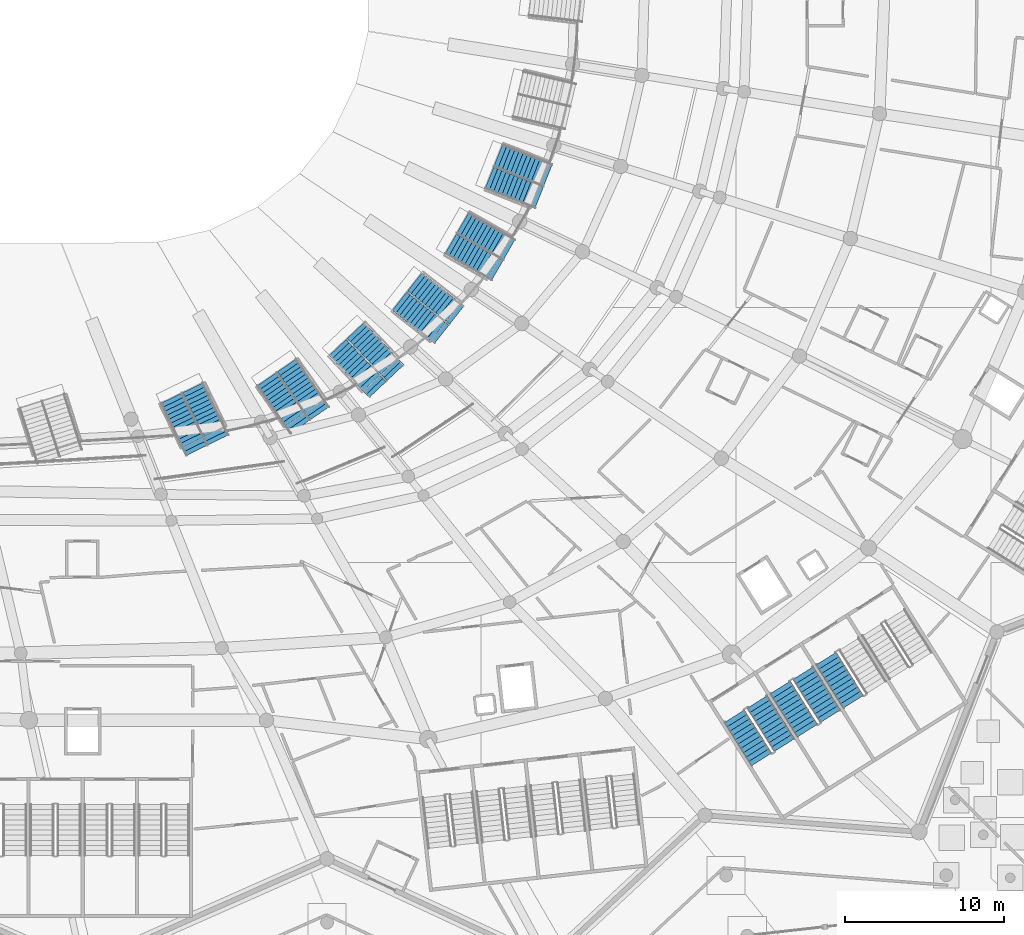
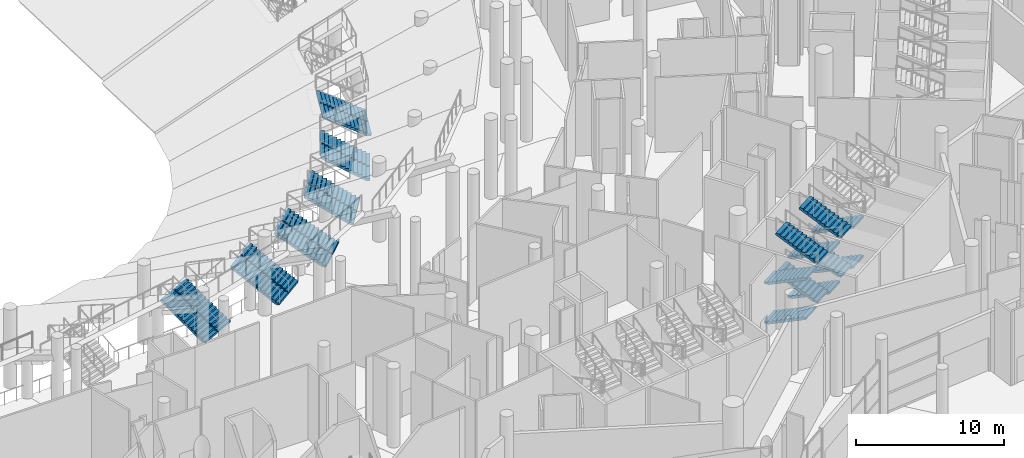
# One storey, part 167 of 255: 22 stair flights, 9 elements without a shape of their own.
"""IFC4 building model written with IfcOpenShell, lengths in metres."""

from ifc_helpers import new_model, si_unit, direction, frame, origin, place, context, subcontext, project, spatial, polyline, outline, extrude, material, type_object, element, aggregate, save


model = new_model("IFC4")

# Units and contexts
model_context = context("Model", 3, precision=1e-05, world=origin(), true_north=direction((0.0, 1.0)))
body_context = subcontext(model_context, "Body", "Model", "MODEL_VIEW")
ifc_project = project(units=[si_unit("LENGTHUNIT", "METRE"), si_unit("AREAUNIT", "SQUARE_METRE"), si_unit("VOLUMEUNIT", "CUBIC_METRE"), si_unit("PLANEANGLEUNIT", "RADIAN"), si_unit("MASSUNIT", "GRAM", prefix="KILO")], contexts=[model_context])

# Site, building, storey
site_placement = place(None, origin())
site = spatial("IfcSite", under=ifc_project, at=site_placement, CompositionType="ELEMENT")
building_placement = place(site_placement, origin())
building = spatial("IfcBuilding", under=site, at=building_placement, Name="Meseta Stadium", CompositionType="ELEMENT")
storey_placement = place(building_placement, origin())
storey = spatial("IfcBuildingStorey", under=building, at=storey_placement, Name="L00", CompositionType="ELEMENT", Elevation=0.0)

# Stair, stair flights
ifc_material_1 = material(Name="Concrete C40/50", Category="concrete")
stair_type_1 = type_object("IfcStairType", Name="Exit stair 4 flights 148 mm risers", PredefinedType="HALF_TURN_STAIR", material=ifc_material_1)
stair_1_placement = place(storey_placement, origin())
stair_1 = element("IfcStair", 1, at=stair_1_placement, inside=storey, type_object=stair_type_1, Name="ST105 L00", PredefinedType="HALF_TURN_STAIR")
ifc_material_2 = material(Name="Concrete C40/50", Category="concrete")
stair_flight_type_1 = type_object("IfcStairFlightType", Name="Exit stair flight 148 mm risers, 4 per storey", PredefinedType="STRAIGHT", material=ifc_material_2)
stair_flight_1_placement = place(storey_placement, frame((63.892578125, -89.659423828125, 0.0), z_axis=(0.0, 0.0, 1.0), x_axis=(0.532032074404, -0.846724200555, 0.0)))
stair_flight_1 = element("IfcStairFlight", 2, at=stair_flight_1_placement, type_object=stair_flight_type_1, Name="ST105 L00 flight 1", NumberOfRisers=11, NumberOfTreads=10, PredefinedType="STRAIGHT", RiserHeight=0.147727273, TreadLength=0.32, context=body_context, shape_type="SweptSolid", body=[
    extrude(outline(polyline([(0.0, 0.0), (0.0, 0.147705078125), (0.320068359375, 0.147705078125), (0.320068359375, 0.29541015625), (0.639892578125, 0.29541015625), (0.639892578125, 0.443115234375), (0.9599609375, 0.443115234375), (0.9599609375, 0.5908203125), (1.280029296875, 0.5908203125), (1.280029296875, 0.738525390625), (1.60009765625, 0.738525390625), (1.60009765625, 0.886474609375), (1.919921875, 0.886474609375), (1.919921875, 1.0341796875), (2.239990234375, 1.0341796875), (2.239990234375, 1.181884765625), (2.56005859375, 1.181884765625), (2.56005859375, 1.32958984375), (2.8798828125, 1.32958984375), (2.8798828125, 1.477294921875), (3.199951171875, 1.477294921875), (3.199951171875, 1.312255859375), (0.357666015625, 0.0), (0.0, 0.0)])), frame((0.0, 0.75, 0.0), z_axis=(0.0, -1.0, 0.0), x_axis=(1.0, 0.0, 0.0)), (0.0, 0.0, 1.0), 1.5),
])
stair_flight_2_placement = place(storey_placement, frame((67.034423828125, -91.46435546875, 1.625), z_axis=(0.0, 0.0, 1.0), x_axis=(-0.532032074404, 0.846724200555, 0.0)))
stair_flight_2 = element("IfcStairFlight", 3, at=stair_flight_2_placement, type_object=stair_flight_type_1, Name="ST105 L00 flight 2", NumberOfRisers=11, NumberOfTreads=10, PredefinedType="STRAIGHT", RiserHeight=0.147727273, TreadLength=0.32, context=body_context, shape_type="SweptSolid", body=[
    extrude(outline(polyline([(0.0, 0.0), (0.0, 0.147705078125), (0.320068359375, 0.147705078125), (0.320068359375, 0.29541015625), (0.639892578125, 0.29541015625), (0.639892578125, 0.443115234375), (0.9599609375, 0.443115234375), (0.9599609375, 0.5908203125), (1.280029296875, 0.5908203125), (1.280029296875, 0.738525390625), (1.60009765625, 0.738525390625), (1.60009765625, 0.886474609375), (1.919921875, 0.886474609375), (1.919921875, 1.0341796875), (2.239990234375, 1.0341796875), (2.239990234375, 1.181884765625), (2.56005859375, 1.181884765625), (2.56005859375, 1.32958984375), (2.8798828125, 1.32958984375), (2.8798828125, 1.477294921875), (3.199951171875, 1.477294921875), (3.199951171875, 1.312255859375), (0.357666015625, 0.0), (0.0, 0.0)])), frame((0.0, 0.75, 0.0), z_axis=(0.0, -1.0, 0.0), x_axis=(1.0, 0.0, 0.0)), (0.0, 0.0, 1.0), 1.5),
])
stair_flight_3_placement = place(storey_placement, frame((63.892578125, -89.659423828125, 3.25), z_axis=(0.0, 0.0, 1.0), x_axis=(0.532032074404, -0.846724200555, 0.0)))
stair_flight_3 = element("IfcStairFlight", 4, at=stair_flight_3_placement, type_object=stair_flight_type_1, Name="ST105 L00 flight 3", NumberOfRisers=11, NumberOfTreads=10, PredefinedType="STRAIGHT", RiserHeight=0.147727273, TreadLength=0.32, context=body_context, shape_type="SweptSolid", body=[
    extrude(outline(polyline([(0.0, 0.0), (0.0, 0.147705078125), (0.320068359375, 0.147705078125), (0.320068359375, 0.29541015625), (0.639892578125, 0.29541015625), (0.639892578125, 0.443115234375), (0.9599609375, 0.443115234375), (0.9599609375, 0.5908203125), (1.280029296875, 0.5908203125), (1.280029296875, 0.738525390625), (1.60009765625, 0.738525390625), (1.60009765625, 0.886474609375), (1.919921875, 0.886474609375), (1.919921875, 1.0341796875), (2.239990234375, 1.0341796875), (2.239990234375, 1.181884765625), (2.56005859375, 1.181884765625), (2.56005859375, 1.32958984375), (2.8798828125, 1.32958984375), (2.8798828125, 1.477294921875), (3.199951171875, 1.477294921875), (3.199951171875, 1.312255859375), (0.357666015625, 0.0), (0.0, 0.0)])), frame((0.0, 0.75, 0.0), z_axis=(0.0, -1.0, 0.0), x_axis=(1.0, 0.0, 0.0)), (0.0, 0.0, 1.0), 1.5),
])
stair_flight_4_placement = place(storey_placement, frame((67.034423828125, -91.46435546875, 4.875), z_axis=(0.0, 0.0, 1.0), x_axis=(-0.532032074404, 0.846724200555, 0.0)))
stair_flight_4 = element("IfcStairFlight", 5, at=stair_flight_4_placement, type_object=stair_flight_type_1, Name="ST105 L00 flight 4", NumberOfRisers=11, NumberOfTreads=10, PredefinedType="STRAIGHT", RiserHeight=0.147727273, TreadLength=0.32, context=body_context, shape_type="SweptSolid", body=[
    extrude(outline(polyline([(0.0, 0.0), (0.0, 0.147705078125), (0.320068359375, 0.147705078125), (0.320068359375, 0.29541015625), (0.639892578125, 0.29541015625), (0.639892578125, 0.443115234375), (0.9599609375, 0.443115234375), (0.9599609375, 0.5908203125), (1.280029296875, 0.5908203125), (1.280029296875, 0.738525390625), (1.60009765625, 0.738525390625), (1.60009765625, 0.886474609375), (1.919921875, 0.886474609375), (1.919921875, 1.0341796875), (2.239990234375, 1.0341796875), (2.239990234375, 1.181884765625), (2.56005859375, 1.181884765625), (2.56005859375, 1.32958984375), (2.8798828125, 1.32958984375), (2.8798828125, 1.477294921875), (3.199951171875, 1.477294921875), (3.199951171875, 1.312255859375), (0.357666015625, 0.0), (0.0, 0.0)])), frame((0.0, 0.75, 0.0), z_axis=(0.0, -1.0, 0.0), x_axis=(1.0, 0.0, 0.0)), (0.0, 0.0, 1.0), 1.5),
])
aggregate(stair_1, [stair_flight_1, stair_flight_2, stair_flight_3, stair_flight_4])

stair_2_placement = place(storey_placement, origin())
stair_2 = element("IfcStair", 6, at=stair_2_placement, inside=storey, type_object=stair_type_1, Name="ST106 L00", PredefinedType="HALF_TURN_STAIR")
stair_flight_5_placement = place(storey_placement, frame((66.771484375, -87.8505859375, 0.0), z_axis=(0.0, 0.0, 1.0), x_axis=(0.532032074404, -0.846724200555, 0.0)))
stair_flight_5 = element("IfcStairFlight", 7, at=stair_flight_5_placement, type_object=stair_flight_type_1, Name="ST106 L00 flight 1", NumberOfRisers=11, NumberOfTreads=10, PredefinedType="STRAIGHT", RiserHeight=0.147727273, TreadLength=0.32, context=body_context, shape_type="SweptSolid", body=[
    extrude(outline(polyline([(0.0, 0.0), (0.0, 0.147705078125), (0.320068359375, 0.147705078125), (0.320068359375, 0.29541015625), (0.639892578125, 0.29541015625), (0.639892578125, 0.443115234375), (0.9599609375, 0.443115234375), (0.9599609375, 0.5908203125), (1.280029296875, 0.5908203125), (1.280029296875, 0.738525390625), (1.60009765625, 0.738525390625), (1.60009765625, 0.886474609375), (1.919921875, 0.886474609375), (1.919921875, 1.0341796875), (2.239990234375, 1.0341796875), (2.239990234375, 1.181884765625), (2.56005859375, 1.181884765625), (2.56005859375, 1.32958984375), (2.8798828125, 1.32958984375), (2.8798828125, 1.477294921875), (3.199951171875, 1.477294921875), (3.199951171875, 1.312255859375), (0.357666015625, 0.0), (0.0, 0.0)])), frame((0.0, 0.75, 0.0), z_axis=(0.0, -1.0, 0.0), x_axis=(1.0, 0.0, 0.0)), (0.0, 0.0, 1.0), 1.5),
])
stair_flight_6_placement = place(storey_placement, frame((69.913330078125, -89.655517578125, 1.625), z_axis=(0.0, 0.0, 1.0), x_axis=(-0.532032074404, 0.846724200555, 0.0)))
stair_flight_6 = element("IfcStairFlight", 8, at=stair_flight_6_placement, type_object=stair_flight_type_1, Name="ST106 L00 flight 2", NumberOfRisers=11, NumberOfTreads=10, PredefinedType="STRAIGHT", RiserHeight=0.147727273, TreadLength=0.32, context=body_context, shape_type="SweptSolid", body=[
    extrude(outline(polyline([(0.0, 0.0), (0.0, 0.147705078125), (0.320068359375, 0.147705078125), (0.320068359375, 0.29541015625), (0.639892578125, 0.29541015625), (0.639892578125, 0.443115234375), (0.9599609375, 0.443115234375), (0.9599609375, 0.5908203125), (1.280029296875, 0.5908203125), (1.280029296875, 0.738525390625), (1.60009765625, 0.738525390625), (1.60009765625, 0.886474609375), (1.919921875, 0.886474609375), (1.919921875, 1.0341796875), (2.239990234375, 1.0341796875), (2.239990234375, 1.181884765625), (2.56005859375, 1.181884765625), (2.56005859375, 1.32958984375), (2.8798828125, 1.32958984375), (2.8798828125, 1.477294921875), (3.199951171875, 1.477294921875), (3.199951171875, 1.312255859375), (0.357666015625, 0.0), (0.0, 0.0)])), frame((0.0, 0.75, 0.0), z_axis=(0.0, -1.0, 0.0), x_axis=(1.0, 0.0, 0.0)), (0.0, 0.0, 1.0), 1.5),
])
stair_flight_7_placement = place(storey_placement, frame((66.771484375, -87.8505859375, 3.25), z_axis=(0.0, 0.0, 1.0), x_axis=(0.532032074404, -0.846724200555, 0.0)))
stair_flight_7 = element("IfcStairFlight", 9, at=stair_flight_7_placement, type_object=stair_flight_type_1, Name="ST106 L00 flight 3", NumberOfRisers=11, NumberOfTreads=10, PredefinedType="STRAIGHT", RiserHeight=0.147727273, TreadLength=0.32, context=body_context, shape_type="SweptSolid", body=[
    extrude(outline(polyline([(0.0, 0.0), (0.0, 0.147705078125), (0.320068359375, 0.147705078125), (0.320068359375, 0.29541015625), (0.639892578125, 0.29541015625), (0.639892578125, 0.443115234375), (0.9599609375, 0.443115234375), (0.9599609375, 0.5908203125), (1.280029296875, 0.5908203125), (1.280029296875, 0.738525390625), (1.60009765625, 0.738525390625), (1.60009765625, 0.886474609375), (1.919921875, 0.886474609375), (1.919921875, 1.0341796875), (2.239990234375, 1.0341796875), (2.239990234375, 1.181884765625), (2.56005859375, 1.181884765625), (2.56005859375, 1.32958984375), (2.8798828125, 1.32958984375), (2.8798828125, 1.477294921875), (3.199951171875, 1.477294921875), (3.199951171875, 1.312255859375), (0.357666015625, 0.0), (0.0, 0.0)])), frame((0.0, 0.75, 0.0), z_axis=(0.0, -1.0, 0.0), x_axis=(1.0, 0.0, 0.0)), (0.0, 0.0, 1.0), 1.5),
])
stair_flight_8_placement = place(storey_placement, frame((69.913330078125, -89.655517578125, 4.875), z_axis=(0.0, 0.0, 1.0), x_axis=(-0.532032074404, 0.846724200555, 0.0)))
stair_flight_8 = element("IfcStairFlight", 10, at=stair_flight_8_placement, type_object=stair_flight_type_1, Name="ST106 L00 flight 4", NumberOfRisers=11, NumberOfTreads=10, PredefinedType="STRAIGHT", RiserHeight=0.147727273, TreadLength=0.32, context=body_context, shape_type="SweptSolid", body=[
    extrude(outline(polyline([(0.0, 0.0), (0.0, 0.147705078125), (0.320068359375, 0.147705078125), (0.320068359375, 0.29541015625), (0.639892578125, 0.29541015625), (0.639892578125, 0.443115234375), (0.9599609375, 0.443115234375), (0.9599609375, 0.5908203125), (1.280029296875, 0.5908203125), (1.280029296875, 0.738525390625), (1.60009765625, 0.738525390625), (1.60009765625, 0.886474609375), (1.919921875, 0.886474609375), (1.919921875, 1.0341796875), (2.239990234375, 1.0341796875), (2.239990234375, 1.181884765625), (2.56005859375, 1.181884765625), (2.56005859375, 1.32958984375), (2.8798828125, 1.32958984375), (2.8798828125, 1.477294921875), (3.199951171875, 1.477294921875), (3.199951171875, 1.312255859375), (0.357666015625, 0.0), (0.0, 0.0)])), frame((0.0, 0.75, 0.0), z_axis=(0.0, -1.0, 0.0), x_axis=(1.0, 0.0, 0.0)), (0.0, 0.0, 1.0), 1.5),
])
aggregate(stair_2, [stair_flight_5, stair_flight_6, stair_flight_7, stair_flight_8])

stair_3_placement = place(storey_placement, origin())
stair_3 = element("IfcStair", 11, at=stair_3_placement, inside=storey, type_object=stair_type_1, Name="ST107 L00", PredefinedType="HALF_TURN_STAIR")
stair_flight_9_placement = place(storey_placement, frame((69.650390625, -86.04150390625, 0.0), z_axis=(0.0, 0.0, 1.0), x_axis=(0.532032074404, -0.846724200555, 0.0)))
stair_flight_9 = element("IfcStairFlight", 12, at=stair_flight_9_placement, type_object=stair_flight_type_1, Name="ST107 L00 flight 1", NumberOfRisers=11, NumberOfTreads=10, PredefinedType="STRAIGHT", RiserHeight=0.147727273, TreadLength=0.32, context=body_context, shape_type="SweptSolid", body=[
    extrude(outline(polyline([(0.0, 0.0), (0.0, 0.147705078125), (0.320068359375, 0.147705078125), (0.320068359375, 0.29541015625), (0.639892578125, 0.29541015625), (0.639892578125, 0.443115234375), (0.9599609375, 0.443115234375), (0.9599609375, 0.5908203125), (1.280029296875, 0.5908203125), (1.280029296875, 0.738525390625), (1.60009765625, 0.738525390625), (1.60009765625, 0.886474609375), (1.919921875, 0.886474609375), (1.919921875, 1.0341796875), (2.239990234375, 1.0341796875), (2.239990234375, 1.181884765625), (2.56005859375, 1.181884765625), (2.56005859375, 1.32958984375), (2.8798828125, 1.32958984375), (2.8798828125, 1.477294921875), (3.199951171875, 1.477294921875), (3.199951171875, 1.312255859375), (0.357666015625, 0.0), (0.0, 0.0)])), frame((0.0, 0.75, 0.0), z_axis=(0.0, -1.0, 0.0), x_axis=(1.0, 0.0, 0.0)), (0.0, 0.0, 1.0), 1.5),
])
stair_flight_10_placement = place(storey_placement, frame((69.650390625, -86.04150390625, 3.25), z_axis=(0.0, 0.0, 1.0), x_axis=(0.532032074404, -0.846724200555, 0.0)))
stair_flight_10 = element("IfcStairFlight", 13, at=stair_flight_10_placement, type_object=stair_flight_type_1, Name="ST107 L00 flight 3", NumberOfRisers=11, NumberOfTreads=10, PredefinedType="STRAIGHT", RiserHeight=0.147727273, TreadLength=0.32, context=body_context, shape_type="SweptSolid", body=[
    extrude(outline(polyline([(0.0, 0.0), (0.0, 0.147705078125), (0.320068359375, 0.147705078125), (0.320068359375, 0.29541015625), (0.639892578125, 0.29541015625), (0.639892578125, 0.443115234375), (0.9599609375, 0.443115234375), (0.9599609375, 0.5908203125), (1.280029296875, 0.5908203125), (1.280029296875, 0.738525390625), (1.60009765625, 0.738525390625), (1.60009765625, 0.886474609375), (1.919921875, 0.886474609375), (1.919921875, 1.0341796875), (2.239990234375, 1.0341796875), (2.239990234375, 1.181884765625), (2.56005859375, 1.181884765625), (2.56005859375, 1.32958984375), (2.8798828125, 1.32958984375), (2.8798828125, 1.477294921875), (3.199951171875, 1.477294921875), (3.199951171875, 1.312255859375), (0.357666015625, 0.0), (0.0, 0.0)])), frame((0.0, 0.75, 0.0), z_axis=(0.0, -1.0, 0.0), x_axis=(1.0, 0.0, 0.0)), (0.0, 0.0, 1.0), 1.5),
])
aggregate(stair_3, [stair_flight_9, stair_flight_10])

ifc_material_3 = material(Name="Concrete C40/50", Category="concrete")
stair_type_2 = type_object("IfcStairType", Name="Vomitory stair 3000", PredefinedType="STRAIGHT_RUN_STAIR", material=ifc_material_3)
stair_4_placement = place(storey_placement, origin())
stair_4 = element("IfcStair", 14, at=stair_4_placement, inside=storey, type_object=stair_type_2, Name="Vomitory V-lower-50", PredefinedType="STRAIGHT_RUN_STAIR")
ifc_material_4 = material(Name="Concrete C40/50", Category="concrete")
stair_flight_type_2 = type_object("IfcStairFlightType", Name="Vomitory stair flight 1450", PredefinedType="STRAIGHT", material=ifc_material_4)
stair_flight_11_placement = place(storey_placement, frame((30.13427734375, -72.98974609375, 0.0), z_axis=(0.0, 0.0, 1.0), x_axis=(-0.437966379942, 0.898991351483, 0.0)))
stair_flight_11 = element("IfcStairFlight", 15, at=stair_flight_11_placement, type_object=stair_flight_type_2, Name="Vomitory V-lower-50 flight 1", NumberOfRisers=14, NumberOfTreads=13, PredefinedType="STRAIGHT", RiserHeight=0.16719, TreadLength=0.28, context=body_context, shape_type="SweptSolid", body=[
    extrude(outline(polyline([(0.0, 0.0), (0.0, 0.167236328125), (0.280029296875, 0.167236328125), (0.280029296875, 0.33447265625), (0.56005859375, 0.33447265625), (0.56005859375, 0.50146484375), (0.840087890625, 0.50146484375), (0.840087890625, 0.668701171875), (1.1201171875, 0.668701171875), (1.1201171875, 0.8359375), (1.39990234375, 0.8359375), (1.39990234375, 1.003173828125), (1.679931640625, 1.003173828125), (1.679931640625, 1.17041015625), (1.9599609375, 1.17041015625), (1.9599609375, 1.33740234375), (2.239990234375, 1.33740234375), (2.239990234375, 1.504638671875), (2.52001953125, 1.504638671875), (2.52001953125, 1.671875), (2.800048828125, 1.671875), (2.800048828125, 1.839111328125), (3.080078125, 1.839111328125), (3.080078125, 2.00634765625), (3.360107421875, 2.00634765625), (3.360107421875, 2.173583984375), (3.639892578125, 2.173583984375), (3.639892578125, 1.998779296875), (0.29248046875, 0.0), (0.0, 0.0)])), frame((0.0, 0.72509765625, 0.0), z_axis=(0.0, -1.0, 0.0), x_axis=(1.0, 0.0, 0.0)), (0.0, 0.0, 1.0), 1.449951171875),
])
stair_flight_12_placement = place(storey_placement, frame((31.527587890625, -72.310791015625, 0.0), z_axis=(0.0, 0.0, 1.0), x_axis=(-0.437966379942, 0.898991351483, 0.0)))
stair_flight_12 = element("IfcStairFlight", 16, at=stair_flight_12_placement, type_object=stair_flight_type_2, Name="Vomitory V-lower-50 flight 2", NumberOfRisers=14, NumberOfTreads=13, PredefinedType="STRAIGHT", RiserHeight=0.16719, TreadLength=0.28, context=body_context, shape_type="SweptSolid", body=[
    extrude(outline(polyline([(0.0, 0.0), (0.0, 0.167236328125), (0.280029296875, 0.167236328125), (0.280029296875, 0.33447265625), (0.56005859375, 0.33447265625), (0.56005859375, 0.50146484375), (0.840087890625, 0.50146484375), (0.840087890625, 0.668701171875), (1.1201171875, 0.668701171875), (1.1201171875, 0.8359375), (1.39990234375, 0.8359375), (1.39990234375, 1.003173828125), (1.679931640625, 1.003173828125), (1.679931640625, 1.17041015625), (1.9599609375, 1.17041015625), (1.9599609375, 1.33740234375), (2.239990234375, 1.33740234375), (2.239990234375, 1.504638671875), (2.52001953125, 1.504638671875), (2.52001953125, 1.671875), (2.800048828125, 1.671875), (2.800048828125, 1.839111328125), (3.080078125, 1.839111328125), (3.080078125, 2.00634765625), (3.360107421875, 2.00634765625), (3.360107421875, 2.173583984375), (3.639892578125, 2.173583984375), (3.639892578125, 1.998779296875), (0.29248046875, 0.0), (0.0, 0.0)])), frame((0.0, 0.72509765625, 0.0), z_axis=(0.0, -1.0, 0.0), x_axis=(1.0, 0.0, 0.0)), (0.0, 0.0, 1.0), 1.449951171875),
])
aggregate(stair_4, [stair_flight_11, stair_flight_12])

stair_5_placement = place(storey_placement, origin())
stair_5 = element("IfcStair", 17, at=stair_5_placement, inside=storey, type_object=stair_type_2, Name="Vomitory V-lower-51", PredefinedType="STRAIGHT_RUN_STAIR")
stair_flight_13_placement = place(storey_placement, frame((36.614013671875, -71.5166015625, 0.0), z_axis=(0.0, 0.0, 1.0), x_axis=(-0.567899772853, 0.82309771473, 0.0)))
stair_flight_13 = element("IfcStairFlight", 18, at=stair_flight_13_placement, type_object=stair_flight_type_2, Name="Vomitory V-lower-51 flight 1", NumberOfRisers=14, NumberOfTreads=13, PredefinedType="STRAIGHT", RiserHeight=0.163434, TreadLength=0.28, context=body_context, shape_type="SweptSolid", body=[
    extrude(outline(polyline([(0.0, 0.0), (0.0, 0.163330078125), (0.280029296875, 0.163330078125), (0.280029296875, 0.326904296875), (0.56005859375, 0.326904296875), (0.56005859375, 0.490234375), (0.840087890625, 0.490234375), (0.840087890625, 0.65380859375), (1.1201171875, 0.65380859375), (1.1201171875, 0.817138671875), (1.39990234375, 0.817138671875), (1.39990234375, 0.980712890625), (1.679931640625, 0.980712890625), (1.679931640625, 1.14404296875), (1.9599609375, 1.14404296875), (1.9599609375, 1.307373046875), (2.239990234375, 1.307373046875), (2.239990234375, 1.470947265625), (2.52001953125, 1.470947265625), (2.52001953125, 1.63427734375), (2.800048828125, 1.63427734375), (2.800048828125, 1.7978515625), (3.080078125, 1.7978515625), (3.080078125, 1.961181640625), (3.360107421875, 1.961181640625), (3.360107421875, 2.124755859375), (3.639892578125, 2.124755859375), (3.639892578125, 1.951171875), (0.29736328125, 0.0), (0.0, 0.0)])), frame((0.0, 0.72509765625, 0.0), z_axis=(0.0, -1.0, 0.0), x_axis=(1.0, 0.0, 0.0)), (0.0, 0.0, 1.0), 1.449951171875),
])
stair_flight_14_placement = place(storey_placement, frame((37.889892578125, -70.636474609375, 0.0), z_axis=(0.0, 0.0, 1.0), x_axis=(-0.567899772853, 0.82309771473, 0.0)))
stair_flight_14 = element("IfcStairFlight", 19, at=stair_flight_14_placement, type_object=stair_flight_type_2, Name="Vomitory V-lower-51 flight 2", NumberOfRisers=14, NumberOfTreads=13, PredefinedType="STRAIGHT", RiserHeight=0.163434, TreadLength=0.28, context=body_context, shape_type="SweptSolid", body=[
    extrude(outline(polyline([(0.0, 0.0), (0.0, 0.163330078125), (0.280029296875, 0.163330078125), (0.280029296875, 0.326904296875), (0.56005859375, 0.326904296875), (0.56005859375, 0.490234375), (0.840087890625, 0.490234375), (0.840087890625, 0.65380859375), (1.1201171875, 0.65380859375), (1.1201171875, 0.817138671875), (1.39990234375, 0.817138671875), (1.39990234375, 0.980712890625), (1.679931640625, 0.980712890625), (1.679931640625, 1.14404296875), (1.9599609375, 1.14404296875), (1.9599609375, 1.307373046875), (2.239990234375, 1.307373046875), (2.239990234375, 1.470947265625), (2.52001953125, 1.470947265625), (2.52001953125, 1.63427734375), (2.800048828125, 1.63427734375), (2.800048828125, 1.7978515625), (3.080078125, 1.7978515625), (3.080078125, 1.961181640625), (3.360107421875, 1.961181640625), (3.360107421875, 2.124755859375), (3.639892578125, 2.124755859375), (3.639892578125, 1.951171875), (0.29736328125, 0.0), (0.0, 0.0)])), frame((0.0, 0.72509765625, 0.0), z_axis=(0.0, -1.0, 0.0), x_axis=(1.0, 0.0, 0.0)), (0.0, 0.0, 1.0), 1.449951171875),
])
aggregate(stair_5, [stair_flight_13, stair_flight_14])

stair_6_placement = place(storey_placement, origin())
stair_6 = element("IfcStair", 20, at=stair_6_placement, inside=storey, type_object=stair_type_2, Name="Vomitory V-lower-52", PredefinedType="STRAIGHT_RUN_STAIR")
stair_flight_15_placement = place(storey_placement, frame((41.502197265625, -69.167236328125, 0.0), z_axis=(0.0, 0.0, 1.0), x_axis=(-0.686064733008, 0.72754050205, 0.0)))
stair_flight_15 = element("IfcStairFlight", 21, at=stair_flight_15_placement, type_object=stair_flight_type_2, Name="Vomitory V-lower-52 flight 1", NumberOfRisers=14, NumberOfTreads=13, PredefinedType="STRAIGHT", RiserHeight=0.163499, TreadLength=0.28, context=body_context, shape_type="SweptSolid", body=[
    extrude(outline(polyline([(0.0, 0.0), (0.0, 0.16357421875), (0.280029296875, 0.16357421875), (0.280029296875, 0.326904296875), (0.56005859375, 0.326904296875), (0.56005859375, 0.490478515625), (0.840087890625, 0.490478515625), (0.840087890625, 0.654052734375), (1.1201171875, 0.654052734375), (1.1201171875, 0.8173828125), (1.39990234375, 0.8173828125), (1.39990234375, 0.98095703125), (1.679931640625, 0.98095703125), (1.679931640625, 1.14453125), (1.9599609375, 1.14453125), (1.9599609375, 1.30810546875), (2.239990234375, 1.30810546875), (2.239990234375, 1.471435546875), (2.52001953125, 1.471435546875), (2.52001953125, 1.635009765625), (2.800048828125, 1.635009765625), (2.800048828125, 1.798583984375), (3.080078125, 1.798583984375), (3.080078125, 1.9619140625), (3.360107421875, 1.9619140625), (3.360107421875, 2.12548828125), (3.639892578125, 2.12548828125), (3.639892578125, 1.951904296875), (0.29736328125, 0.0), (0.0, 0.0)])), frame((0.0, 0.72509765625, 0.0), z_axis=(0.0, -1.0, 0.0), x_axis=(1.0, 0.0, 0.0)), (0.0, 0.0, 1.0), 1.449951171875),
])
stair_flight_16_placement = place(storey_placement, frame((42.6298828125, -68.103759765625, 0.0), z_axis=(0.0, 0.0, 1.0), x_axis=(-0.686064733008, 0.72754050205, 0.0)))
stair_flight_16 = element("IfcStairFlight", 22, at=stair_flight_16_placement, type_object=stair_flight_type_2, Name="Vomitory V-lower-52 flight 2", NumberOfRisers=14, NumberOfTreads=13, PredefinedType="STRAIGHT", RiserHeight=0.163499, TreadLength=0.28, context=body_context, shape_type="SweptSolid", body=[
    extrude(outline(polyline([(0.0, 0.0), (0.0, 0.16357421875), (0.280029296875, 0.16357421875), (0.280029296875, 0.326904296875), (0.56005859375, 0.326904296875), (0.56005859375, 0.490478515625), (0.840087890625, 0.490478515625), (0.840087890625, 0.654052734375), (1.1201171875, 0.654052734375), (1.1201171875, 0.8173828125), (1.39990234375, 0.8173828125), (1.39990234375, 0.98095703125), (1.679931640625, 0.98095703125), (1.679931640625, 1.14453125), (1.9599609375, 1.14453125), (1.9599609375, 1.30810546875), (2.239990234375, 1.30810546875), (2.239990234375, 1.471435546875), (2.52001953125, 1.471435546875), (2.52001953125, 1.635009765625), (2.800048828125, 1.635009765625), (2.800048828125, 1.798583984375), (3.080078125, 1.798583984375), (3.080078125, 1.9619140625), (3.360107421875, 1.9619140625), (3.360107421875, 2.12548828125), (3.639892578125, 2.12548828125), (3.639892578125, 1.951904296875), (0.29736328125, 0.0), (0.0, 0.0)])), frame((0.0, 0.72509765625, 0.0), z_axis=(0.0, -1.0, 0.0), x_axis=(1.0, 0.0, 0.0)), (0.0, 0.0, 1.0), 1.449951171875),
])
aggregate(stair_6, [stair_flight_15, stair_flight_16])

stair_7_placement = place(storey_placement, origin())
stair_7 = element("IfcStair", 23, at=stair_7_placement, inside=storey, type_object=stair_type_2, Name="Vomitory V-lower-53", PredefinedType="STRAIGHT_RUN_STAIR")
stair_flight_17_placement = place(storey_placement, frame((45.523193359375, -65.698486328125, 0.0), z_axis=(0.0, 0.0, 1.0), x_axis=(-0.786141751877, 0.618046232862, 0.0)))
stair_flight_17 = element("IfcStairFlight", 24, at=stair_flight_17_placement, type_object=stair_flight_type_2, Name="Vomitory V-lower-53 flight 1", NumberOfRisers=13, NumberOfTreads=12, PredefinedType="STRAIGHT", RiserHeight=0.172209, TreadLength=0.28, context=body_context, shape_type="SweptSolid", body=[
    extrude(outline(polyline([(0.0, 0.0), (0.0, 0.172119140625), (0.280029296875, 0.172119140625), (0.280029296875, 0.344482421875), (0.56005859375, 0.344482421875), (0.56005859375, 0.5166015625), (0.840087890625, 0.5166015625), (0.840087890625, 0.688720703125), (1.1201171875, 0.688720703125), (1.1201171875, 0.861083984375), (1.39990234375, 0.861083984375), (1.39990234375, 1.033203125), (1.679931640625, 1.033203125), (1.679931640625, 1.20556640625), (1.9599609375, 1.20556640625), (1.9599609375, 1.377685546875), (2.239990234375, 1.377685546875), (2.239990234375, 1.5498046875), (2.52001953125, 1.5498046875), (2.52001953125, 1.72216796875), (2.800048828125, 1.72216796875), (2.800048828125, 1.894287109375), (3.080078125, 1.894287109375), (3.080078125, 2.06640625), (3.360107421875, 2.06640625), (3.360107421875, 1.890625), (0.2861328125, 0.0), (0.0, 0.0)])), frame((0.0, 0.72509765625, 0.0), z_axis=(0.0, -1.0, 0.0), x_axis=(1.0, 0.0, 0.0)), (0.0, 0.0, 1.0), 1.449951171875),
])
stair_flight_18_placement = place(storey_placement, frame((46.481201171875, -64.47998046875, 0.0), z_axis=(0.0, 0.0, 1.0), x_axis=(-0.786141751877, 0.618046232862, 0.0)))
stair_flight_18 = element("IfcStairFlight", 25, at=stair_flight_18_placement, type_object=stair_flight_type_2, Name="Vomitory V-lower-53 flight 2", NumberOfRisers=13, NumberOfTreads=12, PredefinedType="STRAIGHT", RiserHeight=0.172209, TreadLength=0.28, context=body_context, shape_type="SweptSolid", body=[
    extrude(outline(polyline([(0.0, 0.0), (0.0, 0.172119140625), (0.280029296875, 0.172119140625), (0.280029296875, 0.344482421875), (0.56005859375, 0.344482421875), (0.56005859375, 0.5166015625), (0.840087890625, 0.5166015625), (0.840087890625, 0.688720703125), (1.1201171875, 0.688720703125), (1.1201171875, 0.861083984375), (1.39990234375, 0.861083984375), (1.39990234375, 1.033203125), (1.679931640625, 1.033203125), (1.679931640625, 1.20556640625), (1.9599609375, 1.20556640625), (1.9599609375, 1.377685546875), (2.239990234375, 1.377685546875), (2.239990234375, 1.5498046875), (2.52001953125, 1.5498046875), (2.52001953125, 1.72216796875), (2.800048828125, 1.72216796875), (2.800048828125, 1.894287109375), (3.080078125, 1.894287109375), (3.080078125, 2.06640625), (3.360107421875, 2.06640625), (3.360107421875, 1.890625), (0.2861328125, 0.0), (0.0, 0.0)])), frame((0.0, 0.72509765625, 0.0), z_axis=(0.0, -1.0, 0.0), x_axis=(1.0, 0.0, 0.0)), (0.0, 0.0, 1.0), 1.449951171875),
])
aggregate(stair_7, [stair_flight_17, stair_flight_18])

stair_8_placement = place(storey_placement, origin())
stair_8 = element("IfcStair", 26, at=stair_8_placement, inside=storey, type_object=stair_type_2, Name="Vomitory V-lower-54", PredefinedType="STRAIGHT_RUN_STAIR")
stair_flight_19_placement = place(storey_placement, frame((49.007080078125, -61.699951171875, 0.0), z_axis=(0.0, 0.0, 1.0), x_axis=(-0.867711670531, 0.497067859376, 0.0)))
stair_flight_19 = element("IfcStairFlight", 27, at=stair_flight_19_placement, type_object=stair_flight_type_2, Name="Vomitory V-lower-54 flight 1", NumberOfRisers=13, NumberOfTreads=12, PredefinedType="STRAIGHT", RiserHeight=0.168326, TreadLength=0.28, context=body_context, shape_type="SweptSolid", body=[
    extrude(outline(polyline([(0.0, 0.0), (0.0, 0.168212890625), (0.280029296875, 0.168212890625), (0.280029296875, 0.336669921875), (0.56005859375, 0.336669921875), (0.56005859375, 0.5048828125), (0.840087890625, 0.5048828125), (0.840087890625, 0.67333984375), (1.1201171875, 0.67333984375), (1.1201171875, 0.841552734375), (1.39990234375, 0.841552734375), (1.39990234375, 1.010009765625), (1.679931640625, 1.010009765625), (1.679931640625, 1.17822265625), (1.9599609375, 1.17822265625), (1.9599609375, 1.3466796875), (2.239990234375, 1.3466796875), (2.239990234375, 1.514892578125), (2.52001953125, 1.514892578125), (2.52001953125, 1.683349609375), (2.800048828125, 1.683349609375), (2.800048828125, 1.8515625), (3.080078125, 1.8515625), (3.080078125, 2.02001953125), (3.360107421875, 2.02001953125), (3.360107421875, 1.844970703125), (0.291015625, 0.0), (0.0, 0.0)])), frame((0.0, 0.72509765625, 0.0), z_axis=(0.0, -1.0, 0.0), x_axis=(1.0, 0.0, 0.0)), (0.0, 0.0, 1.0), 1.449951171875),
])
stair_flight_20_placement = place(storey_placement, frame((49.777587890625, -60.35498046875, 0.0), z_axis=(0.0, 0.0, 1.0), x_axis=(-0.867711670531, 0.497067859376, 0.0)))
stair_flight_20 = element("IfcStairFlight", 28, at=stair_flight_20_placement, type_object=stair_flight_type_2, Name="Vomitory V-lower-54 flight 2", NumberOfRisers=13, NumberOfTreads=12, PredefinedType="STRAIGHT", RiserHeight=0.168326, TreadLength=0.28, context=body_context, shape_type="SweptSolid", body=[
    extrude(outline(polyline([(0.0, 0.0), (0.0, 0.168212890625), (0.280029296875, 0.168212890625), (0.280029296875, 0.336669921875), (0.56005859375, 0.336669921875), (0.56005859375, 0.5048828125), (0.840087890625, 0.5048828125), (0.840087890625, 0.67333984375), (1.1201171875, 0.67333984375), (1.1201171875, 0.841552734375), (1.39990234375, 0.841552734375), (1.39990234375, 1.010009765625), (1.679931640625, 1.010009765625), (1.679931640625, 1.17822265625), (1.9599609375, 1.17822265625), (1.9599609375, 1.3466796875), (2.239990234375, 1.3466796875), (2.239990234375, 1.514892578125), (2.52001953125, 1.514892578125), (2.52001953125, 1.683349609375), (2.800048828125, 1.683349609375), (2.800048828125, 1.8515625), (3.080078125, 1.8515625), (3.080078125, 2.02001953125), (3.360107421875, 2.02001953125), (3.360107421875, 1.844970703125), (0.291015625, 0.0), (0.0, 0.0)])), frame((0.0, 0.72509765625, 0.0), z_axis=(0.0, -1.0, 0.0), x_axis=(1.0, 0.0, 0.0)), (0.0, 0.0, 1.0), 1.449951171875),
])
aggregate(stair_8, [stair_flight_19, stair_flight_20])

stair_9_placement = place(storey_placement, origin())
stair_9 = element("IfcStair", 29, at=stair_9_placement, inside=storey, type_object=stair_type_2, Name="Vomitory V-lower-55", PredefinedType="STRAIGHT_RUN_STAIR")
stair_flight_21_placement = place(storey_placement, frame((51.640625, -57.12060546875, 0.0), z_axis=(0.0, 0.0, 1.0), x_axis=(-0.930263326339, 0.366892550576, 0.0)))
stair_flight_21 = element("IfcStairFlight", 30, at=stair_flight_21_placement, type_object=stair_flight_type_2, Name="Vomitory V-lower-55 flight 1", NumberOfRisers=13, NumberOfTreads=12, PredefinedType="STRAIGHT", RiserHeight=0.164429, TreadLength=0.28, context=body_context, shape_type="SweptSolid", body=[
    extrude(outline(polyline([(0.0, 0.0), (0.0, 0.16455078125), (0.280029296875, 0.16455078125), (0.280029296875, 0.328857421875), (0.56005859375, 0.328857421875), (0.56005859375, 0.493408203125), (0.840087890625, 0.493408203125), (0.840087890625, 0.65771484375), (1.1201171875, 0.65771484375), (1.1201171875, 0.822265625), (1.39990234375, 0.822265625), (1.39990234375, 0.986572265625), (1.679931640625, 0.986572265625), (1.679931640625, 1.151123046875), (1.9599609375, 1.151123046875), (1.9599609375, 1.3154296875), (2.239990234375, 1.3154296875), (2.239990234375, 1.47998046875), (2.52001953125, 1.47998046875), (2.52001953125, 1.644287109375), (2.800048828125, 1.644287109375), (2.800048828125, 1.808837890625), (3.080078125, 1.808837890625), (3.080078125, 1.97314453125), (3.360107421875, 1.97314453125), (3.360107421875, 1.79931640625), (0.296142578125, 0.0), (0.0, 0.0)])), frame((0.0, 0.72509765625, 0.0), z_axis=(0.0, -1.0, 0.0), x_axis=(1.0, 0.0, 0.0)), (0.0, 0.0, 1.0), 1.449951171875),
])
stair_flight_22_placement = place(storey_placement, frame((52.209228515625, -55.6787109375, 0.0), z_axis=(0.0, 0.0, 1.0), x_axis=(-0.930263326339, 0.366892550576, 0.0)))
stair_flight_22 = element("IfcStairFlight", 31, at=stair_flight_22_placement, type_object=stair_flight_type_2, Name="Vomitory V-lower-55 flight 2", NumberOfRisers=13, NumberOfTreads=12, PredefinedType="STRAIGHT", RiserHeight=0.164429, TreadLength=0.28, context=body_context, shape_type="SweptSolid", body=[
    extrude(outline(polyline([(0.0, 0.0), (0.0, 0.16455078125), (0.280029296875, 0.16455078125), (0.280029296875, 0.328857421875), (0.56005859375, 0.328857421875), (0.56005859375, 0.493408203125), (0.840087890625, 0.493408203125), (0.840087890625, 0.65771484375), (1.1201171875, 0.65771484375), (1.1201171875, 0.822265625), (1.39990234375, 0.822265625), (1.39990234375, 0.986572265625), (1.679931640625, 0.986572265625), (1.679931640625, 1.151123046875), (1.9599609375, 1.151123046875), (1.9599609375, 1.3154296875), (2.239990234375, 1.3154296875), (2.239990234375, 1.47998046875), (2.52001953125, 1.47998046875), (2.52001953125, 1.644287109375), (2.800048828125, 1.644287109375), (2.800048828125, 1.808837890625), (3.080078125, 1.808837890625), (3.080078125, 1.97314453125), (3.360107421875, 1.97314453125), (3.360107421875, 1.79931640625), (0.296142578125, 0.0), (0.0, 0.0)])), frame((0.0, 0.72509765625, 0.0), z_axis=(0.0, -1.0, 0.0), x_axis=(1.0, 0.0, 0.0)), (0.0, 0.0, 1.0), 1.449951171875),
])
aggregate(stair_9, [stair_flight_21, stair_flight_22])

save(model, "model.ifc")
